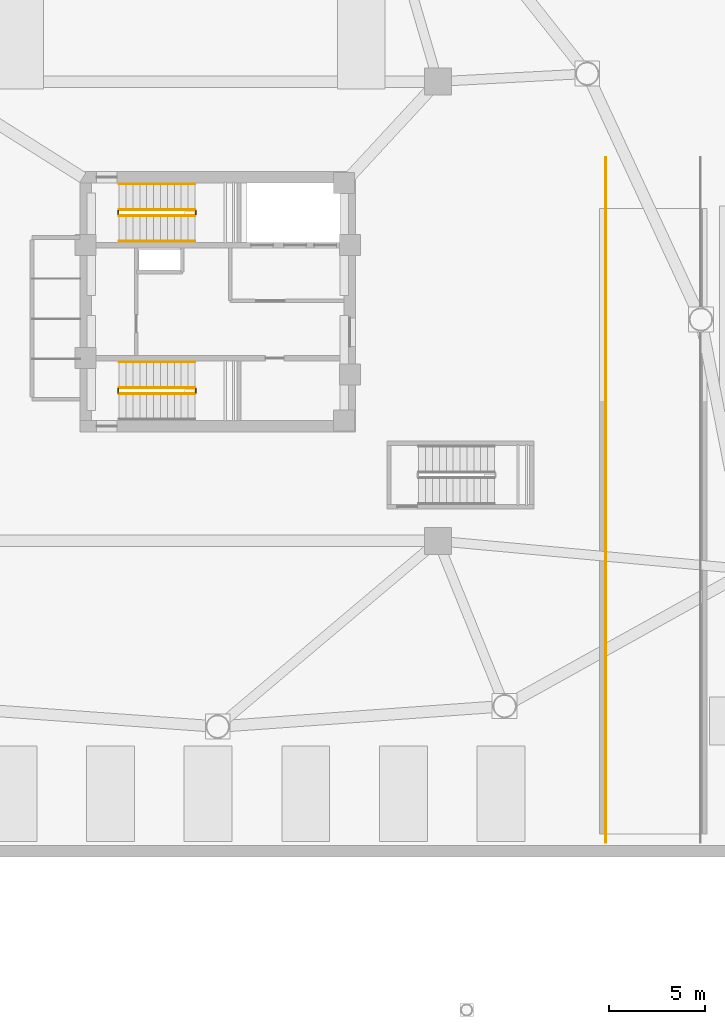
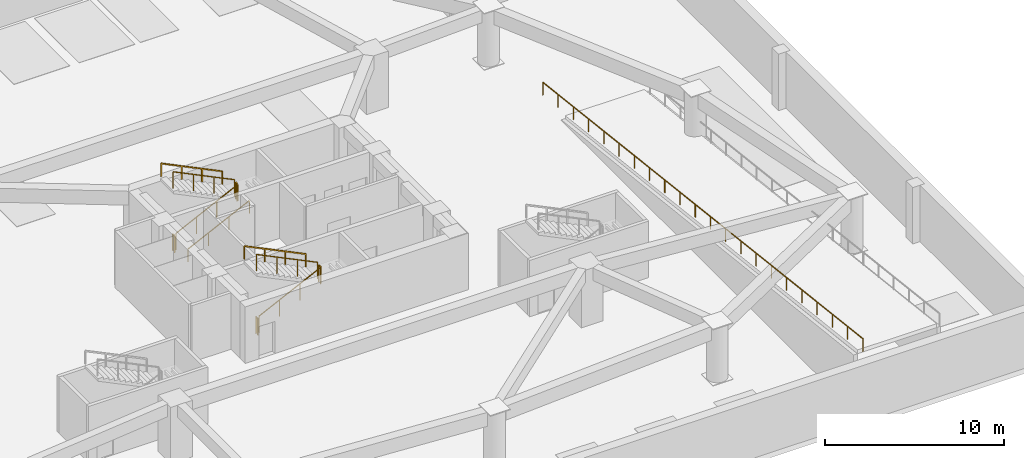
# One storey, part 8 of 9: 12 railings.
"""IFC4 building model written with IfcOpenShell, lengths in metres."""

from ifc_helpers import new_model, si_unit, direction, frame, origin, origin_2d, place, context, subcontext, project, spatial, rectangle, extrude, material, type_object, element, save


model = new_model("IFC4")

# Units and contexts
model_context = context("Model", 3, precision=1e-05, world=origin(), true_north=direction((0.0, 1.0)))
body_context = subcontext(model_context, "Body", "Model", "MODEL_VIEW")
ifc_project = project(units=[si_unit("LENGTHUNIT", "METRE"), si_unit("AREAUNIT", "SQUARE_METRE"), si_unit("VOLUMEUNIT", "CUBIC_METRE"), si_unit("PLANEANGLEUNIT", "RADIAN"), si_unit("MASSUNIT", "GRAM", prefix="KILO")], contexts=[model_context])

# Site, building, storey
site_placement = place(None, origin())
site = spatial("IfcSite", under=ifc_project, at=site_placement, CompositionType="ELEMENT")
building_placement = place(site_placement, origin())
building = spatial("IfcBuilding", under=site, at=building_placement, Name="Tavelor Broadcast Tower", CompositionType="ELEMENT")
storey_placement = place(building_placement, frame((0.0, 0.0, -4.199951171875)))
storey = spatial("IfcBuildingStorey", under=building, at=storey_placement, Name="B01", CompositionType="ELEMENT", Elevation=-4.199951171875)

# Railings
ifc_material = material(Name="Steel S355", Category="steel")
railing_type_1 = type_object("IfcRailingType", Name="Continuous Brushed Stainless Handrail 900 mm", PredefinedType="HANDRAIL", material=ifc_material)
railing_1_placement = place(storey_placement, frame((44.85009765625, 48.14990234375, 0.175048828125)))
element("IfcRailing", 1, at=railing_1_placement, inside=storey, type_object=railing_type_1, Name="B01 ST1 stair handrail 1", PredefinedType="HANDRAIL", context=body_context, shape_type="SweptSolid", body=[
    extrude(rectangle(XDim=0.048095703125, YDim=0.048095703125, at=origin_2d()), frame((0.0, 0.0, 0.8759765625), z_axis=(0.899383599736, 0.0, 0.437160314446), x_axis=(0.0, 1.0, 0.0)), (0.0, 0.0, 1.0), 4.403076171875),
    extrude(rectangle(XDim=0.0419921875, YDim=0.0419921875, at=origin_2d()), origin(), (0.0, 0.0, 1.0), 0.851806640625),
    extrude(rectangle(XDim=0.0419921875, YDim=0.0419921875, at=origin_2d()), frame((1.320068359375, 0.0, 0.6416015625)), (0.0, 0.0, 1.0), 0.851806640625),
    extrude(rectangle(XDim=0.0419921875, YDim=0.0419921875, at=origin_2d()), frame((2.639892578125, 0.0, 1.283203125)), (0.0, 0.0, 1.0), 0.851806640625),
    extrude(rectangle(XDim=0.0419921875, YDim=0.0419921875, at=origin_2d()), frame((3.9599609375, 0.0, 1.9248046875)), (0.0, 0.0, 1.0), 0.851806640625),
])
for number, where, name in (
    (2, (48.81005859375, 51.14990234375, 2.27490234375), "B01 ST1 stair handrail 2"),
    (3, (48.81005859375, 41.85009765625, 2.27490234375), "B01 ST2 stair handrail 2"),
):
    element("IfcRailing", number, at=place(storey_placement, frame(where)), inside=storey, type_object=railing_type_1, Name=name, PredefinedType="HANDRAIL", context=body_context, shape_type="SweptSolid", body=[
        extrude(rectangle(XDim=0.048095703125, YDim=0.048095703125, at=origin_2d()), frame((0.0, 0.0, 0.8759765625), z_axis=(-0.899361797975, 0.0, 0.437205165045), x_axis=(0.0, -1.0, 0.0)), (0.0, 0.0, 1.0), 4.403076171875),
        extrude(rectangle(XDim=0.0419921875, YDim=0.0419921875, at=origin_2d()), origin(), (0.0, 0.0, 1.0), 0.851806640625),
        extrude(rectangle(XDim=0.0419921875, YDim=0.0419921875, at=origin_2d()), frame((-1.320068359375, 0.0, 0.6416015625)), (0.0, 0.0, 1.0), 0.851806640625),
        extrude(rectangle(XDim=0.0419921875, YDim=0.0419921875, at=origin_2d()), frame((-2.639892578125, 0.0, 1.283447265625)), (0.0, 0.0, 1.0), 0.851806640625),
        extrude(rectangle(XDim=0.0419921875, YDim=0.0419921875, at=origin_2d()), frame((-3.9599609375, 0.0, 1.925048828125)), (0.0, 0.0, 1.0), 0.851806640625),
    ])
railing_2_placement = place(storey_placement, frame((70.280029296875, 52.530029296875, 0.0)))
element("IfcRailing", 4, at=railing_2_placement, inside=storey, type_object=railing_type_1, Name="Vehicle Ramp West Handrail", PredefinedType="HANDRAIL", context=body_context, shape_type="SweptSolid", body=[
    extrude(rectangle(XDim=0.048095703125, YDim=0.048095703125, at=origin_2d()), frame((0.0, 0.0, 0.8759765625), z_axis=(0.0, -0.993181054775, 0.116582127429), x_axis=(1.0, 0.0, 0.0)), (0.0, 0.0, 1.0), 36.025634765625),
    extrude(rectangle(XDim=0.0419921875, YDim=0.0419921875, at=origin_2d()), origin(), (0.0, 0.0, 1.0), 0.851806640625),
    extrude(rectangle(XDim=0.0419921875, YDim=0.0419921875, at=origin_2d()), frame((0.0, -1.703857421875, 0.199951171875)), (0.0, 0.0, 1.0), 0.851806640625),
    extrude(rectangle(XDim=0.0419921875, YDim=0.0419921875, at=origin_2d()), frame((0.0, -3.40771484375, 0.39990234375)), (0.0, 0.0, 1.0), 0.851806640625),
    extrude(rectangle(XDim=0.0419921875, YDim=0.0419921875, at=origin_2d()), frame((0.0, -5.111328125, 0.60009765625)), (0.0, 0.0, 1.0), 0.851806640625),
    extrude(rectangle(XDim=0.0419921875, YDim=0.0419921875, at=origin_2d()), frame((0.0, -6.815185546875, 0.800048828125)), (0.0, 0.0, 1.0), 0.851806640625),
    extrude(rectangle(XDim=0.0419921875, YDim=0.0419921875, at=origin_2d()), frame((0.0, -8.51904296875, 1.0)), (0.0, 0.0, 1.0), 0.851806640625),
    extrude(rectangle(XDim=0.0419921875, YDim=0.0419921875, at=origin_2d()), frame((0.0, -10.222900390625, 1.199951171875)), (0.0, 0.0, 1.0), 0.851806640625),
    extrude(rectangle(XDim=0.0419921875, YDim=0.0419921875, at=origin_2d()), frame((0.0, -11.9267578125, 1.39990234375)), (0.0, 0.0, 1.0), 0.851806640625),
    extrude(rectangle(XDim=0.0419921875, YDim=0.0419921875, at=origin_2d()), frame((0.0, -13.63037109375, 1.60009765625)), (0.0, 0.0, 1.0), 0.851806640625),
    extrude(rectangle(XDim=0.0419921875, YDim=0.0419921875, at=origin_2d()), frame((0.0, -15.334228515625, 1.800048828125)), (0.0, 0.0, 1.0), 0.851806640625),
    extrude(rectangle(XDim=0.0419921875, YDim=0.0419921875, at=origin_2d()), frame((0.0, -17.0380859375, 2.0)), (0.0, 0.0, 1.0), 0.851806640625),
    extrude(rectangle(XDim=0.0419921875, YDim=0.0419921875, at=origin_2d()), frame((0.0, -18.741943359375, 2.199951171875)), (0.0, 0.0, 1.0), 0.851806640625),
    extrude(rectangle(XDim=0.0419921875, YDim=0.0419921875, at=origin_2d()), frame((0.0, -20.44580078125, 2.39990234375)), (0.0, 0.0, 1.0), 0.851806640625),
    extrude(rectangle(XDim=0.0419921875, YDim=0.0419921875, at=origin_2d()), frame((0.0, -22.149658203125, 2.599853515625)), (0.0, 0.0, 1.0), 0.851806640625),
    extrude(rectangle(XDim=0.0419921875, YDim=0.0419921875, at=origin_2d()), frame((0.0, -23.853271484375, 2.800048828125)), (0.0, 0.0, 1.0), 0.851806640625),
    extrude(rectangle(XDim=0.0419921875, YDim=0.0419921875, at=origin_2d()), frame((0.0, -25.55712890625, 3.0)), (0.0, 0.0, 1.0), 0.851806640625),
    extrude(rectangle(XDim=0.0419921875, YDim=0.0419921875, at=origin_2d()), frame((0.0, -27.260986328125, 3.199951171875)), (0.0, 0.0, 1.0), 0.851806640625),
    extrude(rectangle(XDim=0.0419921875, YDim=0.0419921875, at=origin_2d()), frame((0.0, -28.96484375, 3.39990234375)), (0.0, 0.0, 1.0), 0.851806640625),
    extrude(rectangle(XDim=0.0419921875, YDim=0.0419921875, at=origin_2d()), frame((0.0, -30.668701171875, 3.599853515625)), (0.0, 0.0, 1.0), 0.851806640625),
    extrude(rectangle(XDim=0.0419921875, YDim=0.0419921875, at=origin_2d()), frame((0.0, -32.372314453125, 3.800048828125)), (0.0, 0.0, 1.0), 0.851806640625),
    extrude(rectangle(XDim=0.0419921875, YDim=0.0419921875, at=origin_2d()), frame((0.0, -34.076171875, 4.0)), (0.0, 0.0, 1.0), 0.851806640625),
    extrude(rectangle(XDim=0.0419921875, YDim=0.0419921875, at=origin_2d()), frame((0.0, -35.780029296875, 4.199951171875)), (0.0, 0.0, 1.0), 0.851806640625),
])
railing_type_2 = type_object("IfcRailingType", Name="Stairwell Steel Safety Guardrail 1150 mm", PredefinedType="GUARDRAIL", material=ifc_material)
railing_3_placement = place(storey_placement, frame((44.85009765625, 49.5, 0.175048828125)))
element("IfcRailing", 5, at=railing_3_placement, inside=storey, type_object=railing_type_2, Name="B01 ST1 stair guard 1", PredefinedType="GUARDRAIL", context=body_context, shape_type="SweptSolid", body=[
    extrude(rectangle(XDim=0.048095703125, YDim=0.048095703125, at=origin_2d()), frame((0.0, 0.0, 1.1259765625), z_axis=(0.899383599736, 0.0, 0.437160314446), x_axis=(0.0, 1.0, 0.0)), (0.0, 0.0, 1.0), 4.403076171875),
    extrude(rectangle(XDim=0.0419921875, YDim=0.0419921875, at=origin_2d()), origin(), (0.0, 0.0, 1.0), 1.101806640625),
    extrude(rectangle(XDim=0.0419921875, YDim=0.0419921875, at=origin_2d()), frame((1.320068359375, 0.0, 0.6416015625)), (0.0, 0.0, 1.0), 1.101806640625),
    extrude(rectangle(XDim=0.0419921875, YDim=0.0419921875, at=origin_2d()), frame((2.639892578125, 0.0, 1.283203125)), (0.0, 0.0, 1.0), 1.101806640625),
    extrude(rectangle(XDim=0.0419921875, YDim=0.0419921875, at=origin_2d()), frame((3.9599609375, 0.0, 1.9248046875)), (0.0, 0.0, 1.0), 1.101806640625),
])
railing_4_placement = place(storey_placement, frame((48.860107421875, 49.550048828125, 2.099853515625)))
element("IfcRailing", 6, at=railing_4_placement, inside=storey, type_object=railing_type_2, Name="B01 ST1 stair guard 2", PredefinedType="GUARDRAIL", context=body_context, shape_type="SweptSolid", body=[
    extrude(rectangle(XDim=0.048095703125, YDim=0.048095703125, at=origin_2d()), frame((0.0, 0.0, 1.1259765625), z_axis=(0.0, 1.0, 0.0), x_axis=(-1.0, 0.0, 0.0)), (0.0, 0.0, 1.0), 0.199951171875),
    extrude(rectangle(XDim=0.0419921875, YDim=0.0419921875, at=origin_2d()), origin(), (0.0, 0.0, 1.0), 1.101806640625),
    extrude(rectangle(XDim=0.0419921875, YDim=0.0419921875, at=origin_2d()), frame((0.0, 0.199951171875, 0.0)), (0.0, 0.0, 1.0), 1.101806640625),
])
railing_5_placement = place(storey_placement, frame((48.81005859375, 49.800048828125, 2.27490234375)))
element("IfcRailing", 7, at=railing_5_placement, inside=storey, type_object=railing_type_2, Name="B01 ST1 stair guard 3", PredefinedType="GUARDRAIL", context=body_context, shape_type="SweptSolid", body=[
    extrude(rectangle(XDim=0.048095703125, YDim=0.048095703125, at=origin_2d()), frame((0.0, 0.0, 1.1259765625), z_axis=(-0.899361797975, 0.0, 0.437205165045), x_axis=(0.0, -1.0, 0.0)), (0.0, 0.0, 1.0), 4.403076171875),
    extrude(rectangle(XDim=0.0419921875, YDim=0.0419921875, at=origin_2d()), origin(), (0.0, 0.0, 1.0), 1.101806640625),
    extrude(rectangle(XDim=0.0419921875, YDim=0.0419921875, at=origin_2d()), frame((-1.320068359375, 0.0, 0.6416015625)), (0.0, 0.0, 1.0), 1.101806640625),
    extrude(rectangle(XDim=0.0419921875, YDim=0.0419921875, at=origin_2d()), frame((-2.639892578125, 0.0, 1.283447265625)), (0.0, 0.0, 1.0), 1.101806640625),
    extrude(rectangle(XDim=0.0419921875, YDim=0.0419921875, at=origin_2d()), frame((-3.9599609375, 0.0, 1.925048828125)), (0.0, 0.0, 1.0), 1.101806640625),
])
railing_6_placement = place(storey_placement, frame((44.800048828125, 49.550048828125, 0.0)))
element("IfcRailing", 8, at=railing_6_placement, inside=storey, type_object=railing_type_2, Name="B01 ST1 stair guard 4", PredefinedType="GUARDRAIL", context=body_context, shape_type="SweptSolid", body=[
    extrude(rectangle(XDim=0.048095703125, YDim=0.048095703125, at=origin_2d()), frame((0.0, 0.0, 1.1259765625), z_axis=(0.0, 1.0, 0.0), x_axis=(-1.0, 0.0, 0.0)), (0.0, 0.0, 1.0), 0.199951171875),
    extrude(rectangle(XDim=0.0419921875, YDim=0.0419921875, at=origin_2d()), origin(), (0.0, 0.0, 1.0), 1.101806640625),
    extrude(rectangle(XDim=0.0419921875, YDim=0.0419921875, at=origin_2d()), frame((0.0, 0.199951171875, 0.0)), (0.0, 0.0, 1.0), 1.101806640625),
])
railing_7_placement = place(storey_placement, frame((44.85009765625, 40.199951171875, 0.175048828125)))
element("IfcRailing", 9, at=railing_7_placement, inside=storey, type_object=railing_type_2, Name="B01 ST2 stair guard 1", PredefinedType="GUARDRAIL", context=body_context, shape_type="SweptSolid", body=[
    extrude(rectangle(XDim=0.048095703125, YDim=0.048095703125, at=origin_2d()), frame((0.0, 0.0, 1.1259765625), z_axis=(0.899383599736, 0.0, 0.437160314446), x_axis=(0.0, 1.0, 0.0)), (0.0, 0.0, 1.0), 4.403076171875),
    extrude(rectangle(XDim=0.0419921875, YDim=0.0419921875, at=origin_2d()), origin(), (0.0, 0.0, 1.0), 1.101806640625),
    extrude(rectangle(XDim=0.0419921875, YDim=0.0419921875, at=origin_2d()), frame((1.320068359375, 0.0, 0.6416015625)), (0.0, 0.0, 1.0), 1.101806640625),
    extrude(rectangle(XDim=0.0419921875, YDim=0.0419921875, at=origin_2d()), frame((2.639892578125, 0.0, 1.283203125)), (0.0, 0.0, 1.0), 1.101806640625),
    extrude(rectangle(XDim=0.0419921875, YDim=0.0419921875, at=origin_2d()), frame((3.9599609375, 0.0, 1.9248046875)), (0.0, 0.0, 1.0), 1.101806640625),
])
railing_8_placement = place(storey_placement, frame((48.860107421875, 40.25, 2.099853515625)))
element("IfcRailing", 10, at=railing_8_placement, inside=storey, type_object=railing_type_2, Name="B01 ST2 stair guard 2", PredefinedType="GUARDRAIL", context=body_context, shape_type="SweptSolid", body=[
    extrude(rectangle(XDim=0.048095703125, YDim=0.048095703125, at=origin_2d()), frame((0.0, 0.0, 1.1259765625), z_axis=(0.0, 1.0, 0.0), x_axis=(-1.0, 0.0, 0.0)), (0.0, 0.0, 1.0), 0.199951171875),
    extrude(rectangle(XDim=0.0419921875, YDim=0.0419921875, at=origin_2d()), origin(), (0.0, 0.0, 1.0), 1.101806640625),
    extrude(rectangle(XDim=0.0419921875, YDim=0.0419921875, at=origin_2d()), frame((0.0, 0.199951171875, 0.0)), (0.0, 0.0, 1.0), 1.101806640625),
])
railing_9_placement = place(storey_placement, frame((48.81005859375, 40.5, 2.27490234375)))
element("IfcRailing", 11, at=railing_9_placement, inside=storey, type_object=railing_type_2, Name="B01 ST2 stair guard 3", PredefinedType="GUARDRAIL", context=body_context, shape_type="SweptSolid", body=[
    extrude(rectangle(XDim=0.048095703125, YDim=0.048095703125, at=origin_2d()), frame((0.0, 0.0, 1.1259765625), z_axis=(-0.899361797975, 0.0, 0.437205165045), x_axis=(0.0, -1.0, 0.0)), (0.0, 0.0, 1.0), 4.403076171875),
    extrude(rectangle(XDim=0.0419921875, YDim=0.0419921875, at=origin_2d()), origin(), (0.0, 0.0, 1.0), 1.101806640625),
    extrude(rectangle(XDim=0.0419921875, YDim=0.0419921875, at=origin_2d()), frame((-1.320068359375, 0.0, 0.6416015625)), (0.0, 0.0, 1.0), 1.101806640625),
    extrude(rectangle(XDim=0.0419921875, YDim=0.0419921875, at=origin_2d()), frame((-2.639892578125, 0.0, 1.283447265625)), (0.0, 0.0, 1.0), 1.101806640625),
    extrude(rectangle(XDim=0.0419921875, YDim=0.0419921875, at=origin_2d()), frame((-3.9599609375, 0.0, 1.925048828125)), (0.0, 0.0, 1.0), 1.101806640625),
])
railing_10_placement = place(storey_placement, frame((44.800048828125, 40.25, 0.0)))
element("IfcRailing", 12, at=railing_10_placement, inside=storey, type_object=railing_type_2, Name="B01 ST2 stair guard 4", PredefinedType="GUARDRAIL", context=body_context, shape_type="SweptSolid", body=[
    extrude(rectangle(XDim=0.048095703125, YDim=0.048095703125, at=origin_2d()), frame((0.0, 0.0, 1.1259765625), z_axis=(0.0, 1.0, 0.0), x_axis=(-1.0, 0.0, 0.0)), (0.0, 0.0, 1.0), 0.199951171875),
    extrude(rectangle(XDim=0.0419921875, YDim=0.0419921875, at=origin_2d()), origin(), (0.0, 0.0, 1.0), 1.101806640625),
    extrude(rectangle(XDim=0.0419921875, YDim=0.0419921875, at=origin_2d()), frame((0.0, 0.199951171875, 0.0)), (0.0, 0.0, 1.0), 1.101806640625),
])

save(model, "model.ifc")
